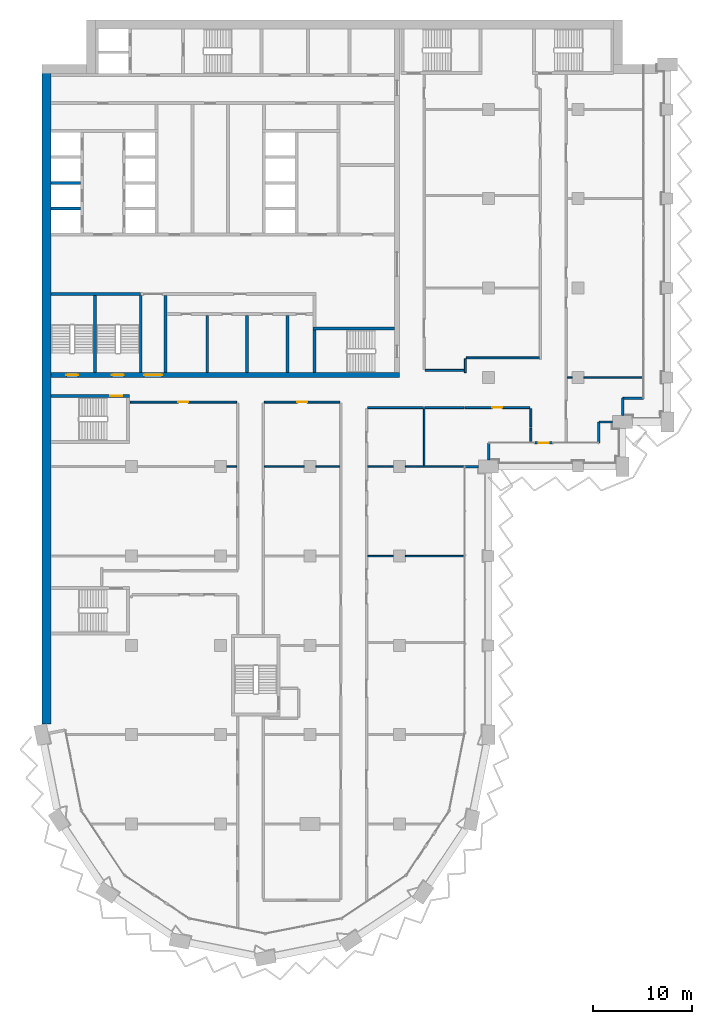
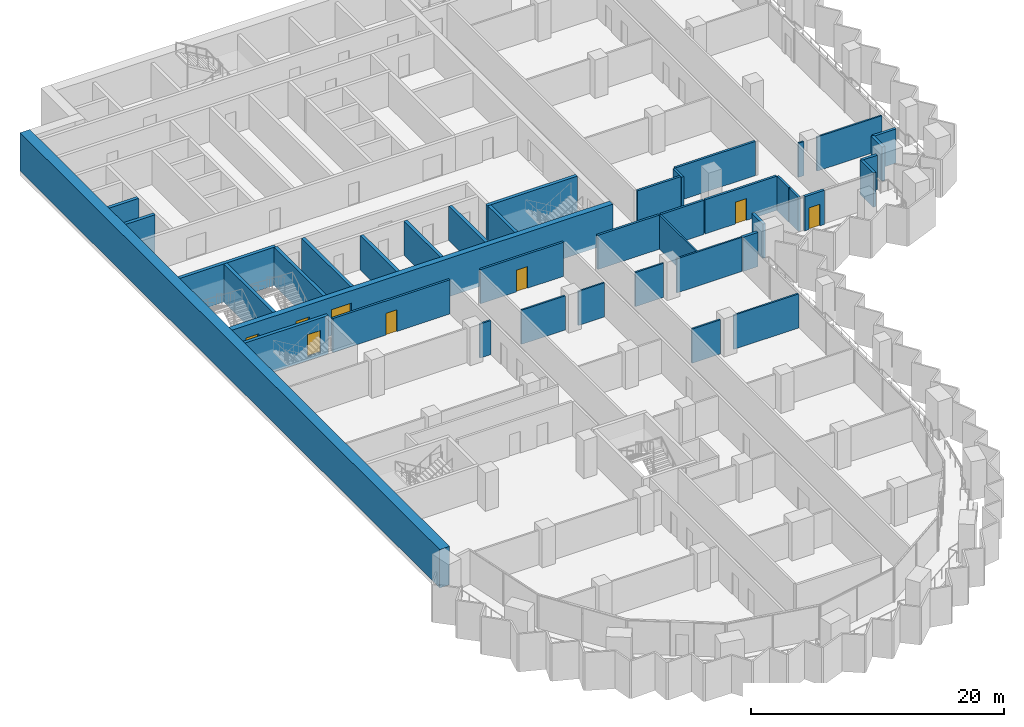
# One storey, part 12 of 23: 41 walls, 8 doors, 8 openings.
"""IFC4 building model written with IfcOpenShell, lengths in metres."""

from ifc_helpers import new_model, si_unit, direction, frame, frame_2d, origin, place, context, subcontext, project, spatial, rectangle, extrude, material, layer, layer_set, type_object, element, fill, save


model = new_model("IFC4")

# Units and contexts
model_context = context("Model", 3, precision=1e-05, world=origin(), true_north=direction((0.0, 1.0)))
body_context = subcontext(model_context, "Body", "Model", "MODEL_VIEW")
ifc_project = project(units=[si_unit("LENGTHUNIT", "METRE"), si_unit("AREAUNIT", "SQUARE_METRE"), si_unit("VOLUMEUNIT", "CUBIC_METRE"), si_unit("PLANEANGLEUNIT", "RADIAN"), si_unit("MASSUNIT", "GRAM", prefix="KILO")], contexts=[model_context])

# Site, building, storey
site_placement = place(None, origin())
site = spatial("IfcSite", under=ifc_project, at=site_placement, CompositionType="ELEMENT")
building_placement = place(site_placement, origin())
building = spatial("IfcBuilding", under=site, at=building_placement, Name="Hunhe Ridgeline Campus", CompositionType="ELEMENT")
storey_placement = place(building_placement, frame((0.0, 0.0, 144.89990234375)))
storey = spatial("IfcBuildingStorey", under=building, at=storey_placement, Name="L36", CompositionType="ELEMENT", Elevation=144.89990234375)

# Walls
ifc_material_1 = material(Name="Masonry concrete blockwork", Category="masonry")
ifc_layer_1 = layer(ifc_material_1, 0.300048828125)
ifc_layer_set_1 = layer_set([ifc_layer_1], Name="Core room partition 300 concrete block")
wall_type_1 = type_object("IfcWallType", Name="Core room partition 300 concrete block", PredefinedType="PARTITIONING", material=ifc_layer_set_1)
wall_1_placement = place(storey_placement, frame((12.449951171875, 63.5, 0.0), z_axis=(0.0, 0.0, 1.0), x_axis=(0.0, 1.0, 0.0)))
element("IfcWall", 1, at=wall_1_placement, inside=storey, type_object=wall_type_1, Name="L36 core partition 41", PredefinedType="PARTITIONING", context=body_context, shape_type="SweptSolid", body=[
    extrude(rectangle(XDim=7.75, YDim=0.300048828125, at=frame_2d((3.875, 0.0))), origin(), (0.0, 0.0, 1.0), 3.300048828125),
])
for number, where, z_axis, x_axis, name in (
    (2, (16.64990234375, 63.5, 0.0), (0.0, 0.0, 1.0), (0.0, 1.0, 0.0), "L36 core partition 44"),
    (3, (20.64990234375, 63.5, 0.0), (0.0, 0.0, 1.0), (0.0, 1.0, 0.0), "L36 core partition 47"),
    (4, (24.75, 63.5, 0.0), (0.0, 0.0, 1.0), (0.0, 1.0, 0.0), "L36 core partition 52"),
):
    element("IfcWall", number, at=place(storey_placement, frame(where, z_axis=z_axis, x_axis=x_axis)), inside=storey, type_object=wall_type_1, Name=name, PredefinedType="PARTITIONING", context=body_context, shape_type="SweptSolid", body=[
        extrude(rectangle(XDim=5.75, YDim=0.300048828125, at=frame_2d((2.875, 0.0))), origin(), (0.0, 0.0, 1.0), 3.300048828125),
    ])

# Wall, openings, doors
ifc_material_2 = material(Name="Concrete C70", Category="concrete")
ifc_layer_2 = layer(ifc_material_2, 0.5)
ifc_layer_set_2 = layer_set([ifc_layer_2], Name="Core wall 500 reinforced concrete C70")
wall_type_2 = type_object("IfcWallType", Name="Core wall 500 reinforced concrete C70", PredefinedType="SOLIDWALL", material=ifc_layer_set_2)
wall_2_placement = place(storey_placement, frame((0.89990234375, 63.25, -0.39990234375), z_axis=(0.0, 0.0, 1.0), x_axis=(1.0, 0.0, 0.0)))
wall_2 = element("IfcWall", 5, at=wall_2_placement, inside=storey, type_object=wall_type_2, Name="L36 core wall 7", PredefinedType="SOLIDWALL", context=body_context, shape_type="SweptSolid", body=[
    extrude(rectangle(XDim=35.10009765625, YDim=0.5, at=frame_2d((17.550048828125, 0.0))), origin(), (0.0, 0.0, 1.0), 3.699951171875),
])
opening_1_placement = place(wall_2_placement, frame((9.39990234375, 0.0, 0.39990234375)))
opening_1 = element("IfcOpeningElement", 6, at=opening_1_placement, cuts=wall_2, Name="Opening CD6", PredefinedType="OPENING", context=body_context, shape_type="SweptSolid", body=[
    extrude(rectangle(XDim=1.800048828125, YDim=2.10009765625, at=frame_2d((0.89990234375, 1.050048828125))), frame((0.0, 0.25, 0.0), z_axis=(0.0, -1.0, 0.0), x_axis=(1.0, 0.0, 0.0)), (0.0, 0.0, 1.0), 0.5),
])
opening_2_placement = place(wall_2_placement, frame((1.550048828125, 0.0, 0.39990234375)))
opening_2 = element("IfcOpeningElement", 7, at=opening_2_placement, cuts=wall_2, Name="Opening CD13", PredefinedType="OPENING", context=body_context, shape_type="SweptSolid", body=[
    extrude(rectangle(XDim=1.199951171875, YDim=2.10009765625, at=frame_2d((0.60009765625, 1.050048828125))), frame((0.0, 0.25, 0.0), z_axis=(0.0, -1.0, 0.0), x_axis=(1.0, 0.0, 0.0)), (0.0, 0.0, 1.0), 0.5),
])
opening_3_placement = place(wall_2_placement, frame((6.14990234375, 0.0, 0.39990234375)))
opening_3 = element("IfcOpeningElement", 8, at=opening_3_placement, cuts=wall_2, Name="Opening CD14", PredefinedType="OPENING", context=body_context, shape_type="SweptSolid", body=[
    extrude(rectangle(XDim=1.199951171875, YDim=2.10009765625, at=frame_2d((0.60009765625, 1.050048828125))), frame((0.0, 0.25, 0.0), z_axis=(0.0, -1.0, 0.0), x_axis=(1.0, 0.0, 0.0)), (0.0, 0.0, 1.0), 0.5),
])
ifc_material_3 = material(Name="Anodised aluminium and glass", Category="aluminium")
door_type_1 = type_object("IfcDoorType", Name="Glazed double door 1800x2100", OperationType="DOUBLE_DOOR_SINGLE_SWING", PredefinedType="DOOR", material=ifc_material_3)
door_1_placement = place(opening_1_placement, frame((1.800048828125, 0.0, 0.0), z_axis=(0.0, 0.0, 1.0), x_axis=(-1.0, 0.0, 0.0)))
door_1 = element("IfcDoor", 9, at=door_1_placement, inside=storey, type_object=door_type_1, Name="L36 door VEST-FLOOR", OperationType="DOUBLE_DOOR_SINGLE_SWING", OverallHeight=2.10009765625, OverallWidth=1.800048828125, PredefinedType="DOOR", context=body_context, shape_type="SweptSolid", body=[
    extrude(rectangle(XDim=1.800048828125, YDim=2.10009765625, at=frame_2d((0.89990234375, 1.050048828125))), frame((0.0, 0.02490234375, 0.0), z_axis=(0.0, -1.0, 0.0), x_axis=(1.0, 0.0, 0.0)), (0.0, 0.0, 1.0), 0.050048828125),
])
fill(opening_1, door_1)
ifc_material_4 = material(Name="Hollow metal fire door leaf")
door_type_2 = type_object("IfcDoorType", Name="Stair door 1200x2100 FD60", OperationType="SINGLE_SWING_LEFT", PredefinedType="DOOR", material=ifc_material_4)
door_2_placement = place(opening_2_placement, frame((1.199951171875, 0.0, 0.0), z_axis=(0.0, 0.0, 1.0), x_axis=(-1.0, 0.0, 0.0)))
door_2 = element("IfcDoor", 10, at=door_2_placement, inside=storey, type_object=door_type_2, Name="L36 door S3", OperationType="SINGLE_SWING_RIGHT", OverallHeight=2.10009765625, OverallWidth=1.199951171875, PredefinedType="DOOR", context=body_context, shape_type="SweptSolid", body=[
    extrude(rectangle(XDim=1.199951171875, YDim=2.10009765625, at=frame_2d((0.60009765625, 1.050048828125))), frame((0.0, 0.02490234375, 0.0), z_axis=(0.0, -1.0, 0.0), x_axis=(1.0, 0.0, 0.0)), (0.0, 0.0, 1.0), 0.050048828125),
])
fill(opening_2, door_2)
door_3_placement = place(opening_3_placement, frame((1.199951171875, 0.0, 0.0), z_axis=(0.0, 0.0, 1.0), x_axis=(-1.0, 0.0, 0.0)))
door_3 = element("IfcDoor", 11, at=door_3_placement, inside=storey, type_object=door_type_2, Name="L36 door S4", OperationType="SINGLE_SWING_LEFT", OverallHeight=2.10009765625, OverallWidth=1.199951171875, PredefinedType="DOOR", context=body_context, shape_type="SweptSolid", body=[
    extrude(rectangle(XDim=1.199951171875, YDim=2.10009765625, at=frame_2d((0.60009765625, 1.050048828125))), frame((0.0, 0.02490234375, 0.0), z_axis=(0.0, -1.0, 0.0), x_axis=(1.0, 0.0, 0.0)), (0.0, 0.0, 1.0), 0.050048828125),
])
fill(opening_3, door_3)

# Walls
ifc_material_5 = material(Name="Concrete C30", Category="concrete")
ifc_layer_3 = layer(ifc_material_5, 0.25)
ifc_layer_set_3 = layer_set([ifc_layer_3], Name="Corner return wall 250 Concrete C30")
wall_type_3 = type_object("IfcWallType", Name="Corner return wall 250 Concrete C30", PredefinedType="SOLIDWALL", material=ifc_layer_set_3)
wall_3_placement = place(storey_placement, frame((42.59912109375, 54.00048828125, 0.0), z_axis=(0.0, 0.0, 1.0), x_axis=(0.999999984814, 0.000174276749, 0.0)))
element("IfcWall", 12, at=wall_3_placement, inside=storey, type_object=wall_type_3, Name="Corner return wall 2", PredefinedType="SOLIDWALL", context=body_context, shape_type="SweptSolid", body=[
    extrude(rectangle(XDim=1.40087890625, YDim=0.25, at=frame_2d((0.700439453125, 0.0))), origin(), (0.0, 0.0, 1.0), 3.300048828125),
])
wall_4_placement = place(storey_placement, frame((44.999267578125, 54.64990234375, 0.0), z_axis=(0.0, 0.0, 1.0), x_axis=(0.000278862231, 0.999999961118, 0.0)))
element("IfcWall", 13, at=wall_4_placement, inside=storey, type_object=wall_type_3, Name="Corner return wall 3", PredefinedType="SOLIDWALL", context=body_context, shape_type="SweptSolid", body=[
    extrude(rectangle(XDim=1.7509765625, YDim=0.25, at=frame_2d((0.87548828125, 0.0))), origin(), (0.0, 0.0, 1.0), 3.300048828125),
])
wall_5_placement = place(storey_placement, frame((56.09912109375, 56.40087890625, 0.0), z_axis=(0.0, 0.0, 1.0), x_axis=(0.00011626555, 0.999999993241, 0.0)))
element("IfcWall", 14, at=wall_5_placement, inside=storey, type_object=wall_type_3, Name="Corner return wall 4", PredefinedType="SOLIDWALL", context=body_context, shape_type="SweptSolid", body=[
    extrude(rectangle(XDim=2.099853515625, YDim=0.25, at=frame_2d((1.0498046875, 0.0))), origin(), (0.0, 0.0, 1.0), 3.300048828125),
])
wall_6_placement = place(storey_placement, frame((56.099365234375, 58.500732421875, 0.0), z_axis=(0.0, 0.0, 1.0), x_axis=(0.999999984809, 0.000174307127, 0.0)))
element("IfcWall", 15, at=wall_6_placement, inside=storey, type_object=wall_type_3, Name="Corner return wall 5", PredefinedType="SOLIDWALL", context=body_context, shape_type="SweptSolid", body=[
    extrude(rectangle(XDim=1.400634765625, YDim=0.25, at=frame_2d((0.7001953125, 0.0))), origin(), (0.0, 0.0, 1.0), 3.300048828125),
])
wall_7_placement = place(storey_placement, frame((58.4990234375, 59.14990234375, 0.0), z_axis=(0.0, 0.0, 1.0), x_axis=(0.000139450563, 0.999999990277, 0.0)))
element("IfcWall", 16, at=wall_7_placement, inside=storey, type_object=wall_type_3, Name="Corner return wall 6", PredefinedType="SOLIDWALL", context=body_context, shape_type="SweptSolid", body=[
    extrude(rectangle(XDim=1.750732421875, YDim=0.25, at=frame_2d((0.87548828125, 0.0))), origin(), (0.0, 0.0, 1.0), 3.300048828125),
])
wall_8_placement = place(storey_placement, frame((58.499267578125, 60.900634765625, 0.0), z_axis=(0.0, 0.0, 1.0), x_axis=(0.999999993241, 0.00011626555, 0.0)))
element("IfcWall", 17, at=wall_8_placement, inside=storey, type_object=wall_type_3, Name="Corner return wall 7", PredefinedType="SOLIDWALL", context=body_context, shape_type="SweptSolid", body=[
    extrude(rectangle(XDim=2.099853515625, YDim=0.25, at=frame_2d((1.0498046875, 0.0))), origin(), (0.0, 0.0, 1.0), 3.300048828125),
])
ifc_material_6 = material(Name="Gypsum board partition")
ifc_layer_4 = layer(ifc_material_6, 0.199951171875)
ifc_layer_set_4 = layer_set([ifc_layer_4], Name="Corridor partition 200 gypsum board on steel studs")
wall_type_4 = type_object("IfcWallType", Name="Corridor partition 200 gypsum board on steel studs", PredefinedType="PARTITIONING", material=ifc_layer_set_4)
wall_9_placement = place(storey_placement, frame((38.425048828125, 59.950927734375, 0.0), z_axis=(0.0, 0.0, 1.0), x_axis=(-1.0, 0.0, 0.0)))
element("IfcWall", 18, at=wall_9_placement, inside=storey, type_object=wall_type_4, Name="F-L36-wall-039", PredefinedType="PARTITIONING", context=body_context, shape_type="SweptSolid", body=[
    extrude(rectangle(XDim=5.625, YDim=0.199951171875, at=frame_2d((2.8125, 0.0))), origin(), (0.0, 0.0, 1.0), 3.300048828125),
])
wall_10_placement = place(storey_placement, frame((42.5, 59.950927734375, 0.0), z_axis=(0.0, 0.0, 1.0), x_axis=(-1.0, 0.0, 0.0)))
element("IfcWall", 19, at=wall_10_placement, inside=storey, type_object=wall_type_4, Name="F-L36-wall-040", PredefinedType="PARTITIONING", context=body_context, shape_type="SweptSolid", body=[
    extrude(rectangle(XDim=3.925048828125, YDim=0.199951171875, at=frame_2d((1.96240234375, 0.0))), origin(), (0.0, 0.0, 1.0), 3.300048828125),
])

# Wall, opening, door
wall_11_placement = place(storey_placement, frame((49.14892578125, 59.950927734375, 0.0), z_axis=(0.0, 0.0, 1.0), x_axis=(-1.0, 0.0, 0.0)))
wall_11 = element("IfcWall", 20, at=wall_11_placement, inside=storey, type_object=wall_type_4, Name="F-L36-wall-041", PredefinedType="PARTITIONING", context=body_context, shape_type="SweptSolid", body=[
    extrude(rectangle(XDim=6.548828125, YDim=0.199951171875, at=frame_2d((3.2744140625, 0.0))), origin(), (0.0, 0.0, 1.0), 3.300048828125),
])
opening_4_placement = place(wall_11_placement, frame((2.7744140625, 0.0, 0.0)))
opening_4 = element("IfcOpeningElement", 21, at=opening_4_placement, cuts=wall_11, Name="Opening RD1-025", PredefinedType="OPENING", context=body_context, shape_type="SweptSolid", body=[
    extrude(rectangle(XDim=1.0, YDim=2.10009765625, at=frame_2d((0.5, 1.050048828125))), frame((0.0, 0.10009765625, 0.0), z_axis=(0.0, -1.0, 0.0), x_axis=(1.0, 0.0, 0.0)), (0.0, 0.0, 1.0), 0.199951171875),
])
ifc_material_7 = material(Name="Timber door leaf", Category="wood")
door_type_3 = type_object("IfcDoorType", Name="Single fire door 1000x2100 timber FD60", OperationType="NOTDEFINED", PredefinedType="DOOR", material=ifc_material_7)
door_4_placement = place(opening_4_placement, origin())
door_4 = element("IfcDoor", 22, at=door_4_placement, inside=storey, type_object=door_type_3, Name="F-L36-door-025", OperationType="SINGLE_SWING_RIGHT", OverallHeight=2.10009765625, OverallWidth=1.0, PredefinedType="DOOR", context=body_context, shape_type="SweptSolid", body=[
    extrude(rectangle(XDim=1.0, YDim=2.10009765625, at=frame_2d((0.5, 1.050048828125))), frame((0.0, 0.02490234375, 0.0), z_axis=(0.0, -1.0, 0.0), x_axis=(1.0, 0.0, 0.0)), (0.0, 0.0, 1.0), 0.050048828125),
])
fill(opening_4, door_4)

wall_12_placement = place(storey_placement, frame((19.60009765625, 60.5, 0.0), z_axis=(0.0, 0.0, 1.0), x_axis=(-1.0, 0.0, 0.0)))
wall_12 = element("IfcWall", 23, at=wall_12_placement, inside=storey, type_object=wall_type_4, Name="F-L36-wall-042", PredefinedType="PARTITIONING", context=body_context, shape_type="SweptSolid", body=[
    extrude(rectangle(XDim=10.696044921875, YDim=0.199951171875, at=frame_2d((5.34814453125, 0.0))), origin(), (0.0, 0.0, 1.0), 3.300048828125),
])
opening_5_placement = place(wall_12_placement, frame((4.847900390625, 0.0, 0.0)))
opening_5 = element("IfcOpeningElement", 24, at=opening_5_placement, cuts=wall_12, Name="Opening RD1-026", PredefinedType="OPENING", context=body_context, shape_type="SweptSolid", body=[
    extrude(rectangle(XDim=1.0, YDim=2.10009765625, at=frame_2d((0.5, 1.050048828125))), frame((0.0, 0.10009765625, 0.0), z_axis=(0.0, -1.0, 0.0), x_axis=(1.0, 0.0, 0.0)), (0.0, 0.0, 1.0), 0.199951171875),
])
door_5_placement = place(opening_5_placement, origin())
door_5 = element("IfcDoor", 25, at=door_5_placement, inside=storey, type_object=door_type_3, Name="F-L36-door-026", OperationType="SINGLE_SWING_LEFT", OverallHeight=2.10009765625, OverallWidth=1.0, PredefinedType="DOOR", context=body_context, shape_type="SweptSolid", body=[
    extrude(rectangle(XDim=1.0, YDim=2.10009765625, at=frame_2d((0.5, 1.050048828125))), frame((0.0, 0.02490234375, 0.0), z_axis=(0.0, -1.0, 0.0), x_axis=(1.0, 0.0, 0.0)), (0.0, 0.0, 1.0), 0.050048828125),
])
fill(opening_5, door_5)

wall_13_placement = place(storey_placement, frame((30.0, 60.5, 0.0), z_axis=(0.0, 0.0, 1.0), x_axis=(-1.0, 0.0, 0.0)))
wall_13 = element("IfcWall", 26, at=wall_13_placement, inside=storey, type_object=wall_type_4, Name="F-L36-wall-043", PredefinedType="PARTITIONING", context=body_context, shape_type="SweptSolid", body=[
    extrude(rectangle(XDim=7.60009765625, YDim=0.199951171875, at=frame_2d((3.800048828125, 0.0))), origin(), (0.0, 0.0, 1.0), 3.300048828125),
])
opening_6_placement = place(wall_13_placement, frame((3.300048828125, 0.0, 0.0)))
opening_6 = element("IfcOpeningElement", 27, at=opening_6_placement, cuts=wall_13, Name="Opening RD1-027", PredefinedType="OPENING", context=body_context, shape_type="SweptSolid", body=[
    extrude(rectangle(XDim=1.0, YDim=2.10009765625, at=frame_2d((0.5, 1.050048828125))), frame((0.0, 0.10009765625, 0.0), z_axis=(0.0, -1.0, 0.0), x_axis=(1.0, 0.0, 0.0)), (0.0, 0.0, 1.0), 0.199951171875),
])
door_6_placement = place(opening_6_placement, origin())
door_6 = element("IfcDoor", 28, at=door_6_placement, inside=storey, type_object=door_type_3, Name="F-L36-door-027", OperationType="SINGLE_SWING_LEFT", OverallHeight=2.10009765625, OverallWidth=1.0, PredefinedType="DOOR", context=body_context, shape_type="SweptSolid", body=[
    extrude(rectangle(XDim=1.0, YDim=2.10009765625, at=frame_2d((0.5, 1.050048828125))), frame((0.0, 0.02490234375, 0.0), z_axis=(0.0, -1.0, 0.0), x_axis=(1.0, 0.0, 0.0)), (0.0, 0.0, 1.0), 0.050048828125),
])
fill(opening_6, door_6)

# Walls
wall_14_placement = place(storey_placement, frame((38.60009765625, 63.699951171875, 0.0), z_axis=(0.0, 0.0, 1.0), x_axis=(1.0, 0.0, 0.0)))
element("IfcWall", 29, at=wall_14_placement, inside=storey, type_object=wall_type_4, Name="F-L36-wall-046", PredefinedType="PARTITIONING", context=body_context, shape_type="SweptSolid", body=[
    extrude(rectangle(XDim=3.949951171875, YDim=0.199951171875, at=frame_2d((1.97509765625, 0.0))), origin(), (0.0, 0.0, 1.0), 3.300048828125),
])
wall_15_placement = place(storey_placement, frame((42.75, 64.949951171875, 0.0), z_axis=(0.0, 0.0, 1.0), x_axis=(1.0, 0.0, 0.0)))
element("IfcWall", 30, at=wall_15_placement, inside=storey, type_object=wall_type_4, Name="F-L36-wall-047", PredefinedType="PARTITIONING", context=body_context, shape_type="SweptSolid", body=[
    extrude(rectangle(XDim=7.35009765625, YDim=0.199951171875, at=frame_2d((3.675048828125, 0.0))), origin(), (0.0, 0.0, 1.0), 3.300048828125),
])
wall_16_placement = place(storey_placement, frame((42.64990234375, 63.487548828125, 0.0), z_axis=(0.0, 0.0, 1.0), x_axis=(0.0, 1.0, 0.0)))
element("IfcWall", 31, at=wall_16_placement, inside=storey, type_object=wall_type_4, Name="F-L36-wall-071", PredefinedType="PARTITIONING", context=body_context, shape_type="SweptSolid", body=[
    extrude(rectangle(XDim=1.362548828125, YDim=0.199951171875, at=frame_2d((0.68115234375, 0.0))), origin(), (0.0, 0.0, 1.0), 3.300048828125),
])
wall_17_placement = place(storey_placement, frame((49.2490234375, 56.455078125, 0.0), z_axis=(0.0, 0.0, 1.0), x_axis=(0.0, 1.0, 0.0)))
element("IfcWall", 32, at=wall_17_placement, inside=storey, type_object=wall_type_4, Name="F-L36-wall-072", PredefinedType="PARTITIONING", context=body_context, shape_type="SweptSolid", body=[
    extrude(rectangle(XDim=1.44580078125, YDim=0.199951171875, at=frame_2d((0.722900390625, 0.0))), origin(), (0.0, 0.0, 1.0), 3.300048828125),
])
wall_18_placement = place(storey_placement, frame((49.2490234375, 58.0009765625, 0.0), z_axis=(0.0, 0.0, 1.0), x_axis=(0.0, 1.0, 0.0)))
element("IfcWall", 33, at=wall_18_placement, inside=storey, type_object=wall_type_4, Name="F-L36-wall-073", PredefinedType="PARTITIONING", context=body_context, shape_type="SweptSolid", body=[
    extrude(rectangle(XDim=1.85009765625, YDim=0.199951171875, at=frame_2d((0.925048828125, 0.0))), origin(), (0.0, 0.0, 1.0), 3.300048828125),
])

# Wall, opening, door
ifc_layer_5 = layer(ifc_material_5, 0.25)
ifc_layer_set_5 = layer_set([ifc_layer_5], Name="Loggia door pier wall 250 Concrete C30")
wall_type_5 = type_object("IfcWallType", Name="Loggia door pier wall 250 Concrete C30", PredefinedType="SOLIDWALL", material=ifc_layer_set_5)
wall_19_placement = place(storey_placement, frame((49.6494140625, 56.40087890625, 0.0), z_axis=(0.0, 0.0, 1.0), x_axis=(1.0, 0.0, 0.0)))
wall_19 = element("IfcWall", 34, at=wall_19_placement, inside=storey, type_object=wall_type_5, Name="Loggia door pier 3", PredefinedType="SOLIDWALL", context=body_context, shape_type="SweptSolid", body=[
    extrude(rectangle(XDim=1.800048828125, YDim=0.25, at=frame_2d((0.89990234375, 0.0))), origin(), (0.0, 0.0, 1.0), 3.300048828125),
])
opening_7_placement = place(wall_19_placement, frame((0.39990234375, 0.0, 0.0)))
opening_7 = element("IfcOpeningElement", 35, at=opening_7_placement, cuts=wall_19, Name="Opening BD306", PredefinedType="OPENING", context=body_context, shape_type="SweptSolid", body=[
    extrude(rectangle(XDim=1.0, YDim=2.10009765625, at=frame_2d((0.5, 1.050048828125))), frame((0.0, 0.125, 0.0), z_axis=(0.0, -1.0, 0.0), x_axis=(1.0, 0.0, 0.0)), (0.0, 0.0, 1.0), 0.25),
])
ifc_material_8 = material(Name="Aluminium 6063", Category="aluminium")
door_type_4 = type_object("IfcDoorType", Name="Loggia glazed door 1000x2100", OperationType="NOTDEFINED", PredefinedType="DOOR", material=ifc_material_8)
door_7_placement = place(opening_7_placement, frame((1.0, 0.0, 0.0), z_axis=(0.0, 0.0, 1.0), x_axis=(-1.0, 0.0, 0.0)))
door_7 = element("IfcDoor", 36, at=door_7_placement, inside=storey, type_object=door_type_4, Name="Loggia door BD306", OperationType="SINGLE_SWING_LEFT", OverallHeight=2.10009765625, OverallWidth=1.0, PredefinedType="DOOR", context=body_context, shape_type="SweptSolid", body=[
    extrude(rectangle(XDim=1.0, YDim=2.10009765625, at=frame_2d((0.5, 1.050048828125))), frame((0.0, 0.02490234375, 0.0), z_axis=(0.0, -1.0, 0.0), x_axis=(1.0, 0.0, 0.0)), (0.0, 0.0, 1.0), 0.050048828125),
])
fill(opening_7, door_7)

# Walls
ifc_layer_6 = layer(ifc_material_6, 0.14990234375)
ifc_layer_set_6 = layer_set([ifc_layer_6], Name="Room partition 150 gypsum board on steel studs")
wall_type_6 = type_object("IfcWallType", Name="Room partition 150 gypsum board on steel studs", PredefinedType="PARTITIONING", material=ifc_layer_set_6)
wall_20_placement = place(storey_placement, frame((32.800048828125, 45.0, 0.0), z_axis=(0.0, 0.0, 1.0), x_axis=(1.0, 0.0, 0.0)))
element("IfcWall", 37, at=wall_20_placement, inside=storey, type_object=wall_type_6, Name="F-L36-wall-030", PredefinedType="PARTITIONING", context=body_context, shape_type="SweptSolid", body=[
    extrude(rectangle(XDim=2.599853515625, YDim=0.14990234375, at=frame_2d((1.2998046875, 0.0))), origin(), (0.0, 0.0, 1.0), 3.300048828125),
])
wall_21_placement = place(storey_placement, frame((36.60009765625, 45.0, 0.0), z_axis=(0.0, 0.0, 1.0), x_axis=(1.0, 0.0, 0.0)))
element("IfcWall", 38, at=wall_21_placement, inside=storey, type_object=wall_type_6, Name="F-L36-wall-031", PredefinedType="PARTITIONING", context=body_context, shape_type="SweptSolid", body=[
    extrude(rectangle(XDim=5.945068359375, YDim=0.14990234375, at=frame_2d((2.97265625, 0.0))), origin(), (0.0, 0.0, 1.0), 3.300048828125),
])
wall_22_placement = place(storey_placement, frame((18.60009765625, 54.0, 0.0), z_axis=(0.0, 0.0, 1.0), x_axis=(1.0, 0.0, 0.0)))
element("IfcWall", 39, at=wall_22_placement, inside=storey, type_object=wall_type_6, Name="F-L36-wall-034", PredefinedType="PARTITIONING", context=body_context, shape_type="SweptSolid", body=[
    extrude(rectangle(XDim=1.0, YDim=0.14990234375, at=frame_2d((0.5, 0.0))), origin(), (0.0, 0.0, 1.0), 3.300048828125),
])
wall_23_placement = place(storey_placement, frame((22.39990234375, 54.0, 0.0), z_axis=(0.0, 0.0, 1.0), x_axis=(1.0, 0.0, 0.0)))
element("IfcWall", 40, at=wall_23_placement, inside=storey, type_object=wall_type_6, Name="F-L36-wall-035", PredefinedType="PARTITIONING", context=body_context, shape_type="SweptSolid", body=[
    extrude(rectangle(XDim=4.0, YDim=0.14990234375, at=frame_2d((2.0, 0.0))), origin(), (0.0, 0.0, 1.0), 3.300048828125),
])
wall_24_placement = place(storey_placement, frame((27.60009765625, 54.0, 0.0), z_axis=(0.0, 0.0, 1.0), x_axis=(1.0, 0.0, 0.0)))
element("IfcWall", 41, at=wall_24_placement, inside=storey, type_object=wall_type_6, Name="F-L36-wall-036", PredefinedType="PARTITIONING", context=body_context, shape_type="SweptSolid", body=[
    extrude(rectangle(XDim=2.39990234375, YDim=0.14990234375, at=frame_2d((1.199951171875, 0.0))), origin(), (0.0, 0.0, 1.0), 3.300048828125),
])
wall_25_placement = place(storey_placement, frame((32.800048828125, 54.0, 0.0), z_axis=(0.0, 0.0, 1.0), x_axis=(1.0, 0.0, 0.0)))
element("IfcWall", 42, at=wall_25_placement, inside=storey, type_object=wall_type_6, Name="F-L36-wall-037", PredefinedType="PARTITIONING", context=body_context, shape_type="SweptSolid", body=[
    extrude(rectangle(XDim=2.599853515625, YDim=0.14990234375, at=frame_2d((1.2998046875, 0.0))), origin(), (0.0, 0.0, 1.0), 3.300048828125),
])
wall_26_placement = place(storey_placement, frame((36.60009765625, 54.0, 0.0), z_axis=(0.0, 0.0, 1.0), x_axis=(1.0, 0.0, 0.0)))
element("IfcWall", 43, at=wall_26_placement, inside=storey, type_object=wall_type_6, Name="F-L36-wall-038", PredefinedType="PARTITIONING", context=body_context, shape_type="SweptSolid", body=[
    extrude(rectangle(XDim=5.945068359375, YDim=0.14990234375, at=frame_2d((2.97265625, 0.0))), origin(), (0.0, 0.0, 1.0), 3.300048828125),
])
wall_27_placement = place(storey_placement, frame((52.89990234375, 63.0, 0.0), z_axis=(0.0, 0.0, 1.0), x_axis=(1.0, 0.0, 0.0)))
element("IfcWall", 44, at=wall_27_placement, inside=storey, type_object=wall_type_6, Name="F-L36-wall-044", PredefinedType="PARTITIONING", context=body_context, shape_type="SweptSolid", body=[
    extrude(rectangle(XDim=0.5, YDim=0.14990234375, at=frame_2d((0.25, 0.0))), origin(), (0.0, 0.0, 1.0), 3.300048828125),
])
wall_28_placement = place(storey_placement, frame((54.60009765625, 63.0, 0.0), z_axis=(0.0, 0.0, 1.0), x_axis=(1.0, 0.0, 0.0)))
element("IfcWall", 45, at=wall_28_placement, inside=storey, type_object=wall_type_6, Name="F-L36-wall-045", PredefinedType="PARTITIONING", context=body_context, shape_type="SweptSolid", body=[
    extrude(rectangle(XDim=5.94482421875, YDim=0.14990234375, at=frame_2d((2.972412109375, 0.0))), origin(), (0.0, 0.0, 1.0), 3.300048828125),
])
wall_29_placement = place(storey_placement, frame((38.5, 59.85107421875, 0.0), z_axis=(0.0, 0.0, 1.0), x_axis=(0.0, -1.0, 0.0)))
element("IfcWall", 46, at=wall_29_placement, inside=storey, type_object=wall_type_6, Name="F-L36-wall-069", PredefinedType="PARTITIONING", context=body_context, shape_type="SweptSolid", body=[
    extrude(rectangle(XDim=5.776123046875, YDim=0.14990234375, at=frame_2d((2.88818359375, 0.0))), origin(), (0.0, 0.0, 1.0), 3.300048828125),
])
ifc_layer_7 = layer(ifc_material_2, 0.300048828125)
ifc_layer_set_7 = layer_set([ifc_layer_7], Name="Shaft wall 300 reinforced concrete C70")
wall_type_7 = type_object("IfcWallType", Name="Shaft wall 300 reinforced concrete C70", PredefinedType="SOLIDWALL", material=ifc_layer_set_7)
for number, where, z_axis, x_axis, name in (
    (47, (0.89990234375, 80.0, -0.39990234375), (0.0, 0.0, 1.0), (1.0, 0.0, 0.0), "L36 core wall 14"),
    (48, (0.89990234375, 82.60009765625, -0.39990234375), (0.0, 0.0, 1.0), (1.0, 0.0, 0.0), "L36 core wall 17"),
):
    element("IfcWall", number, at=place(storey_placement, frame(where, z_axis=z_axis, x_axis=x_axis)), inside=storey, type_object=wall_type_7, Name=name, PredefinedType="SOLIDWALL", context=body_context, shape_type="SweptSolid", body=[
        extrude(rectangle(XDim=3.0, YDim=0.300048828125, at=frame_2d((1.5, 0.0))), origin(), (0.0, 0.0, 1.0), 3.699951171875),
    ])
ifc_layer_8 = layer(ifc_material_2, 0.89990234375)
ifc_layer_set_8 = layer_set([ifc_layer_8], Name="Spine wall 900 Concrete C70")
wall_type_8 = type_object("IfcWallType", Name="Spine wall 900 Concrete C70", PredefinedType="SHEAR", material=ifc_layer_set_8)
wall_30_placement = place(storey_placement, frame((0.449951171875, 94.5, 0.0), z_axis=(0.0, 0.0, 1.0), x_axis=(0.0, -1.0, 0.0)))
element("IfcWall", 49, at=wall_30_placement, inside=storey, type_object=wall_type_8, Name="Spine wall SW2-1 L36", PredefinedType="SHEAR", context=body_context, shape_type="SweptSolid", body=[
    extrude(rectangle(XDim=66.430419921875, YDim=0.89990234375, at=frame_2d((33.21533203125, 0.0))), origin(), (0.0, 0.0, 1.0), 3.7001953125),
])

# Wall, opening, door
ifc_layer_9 = layer(ifc_material_2, 0.300048828125)
ifc_layer_set_9 = layer_set([ifc_layer_9], Name="Stair wall 300 reinforced concrete C70")
wall_type_9 = type_object("IfcWallType", Name="Stair wall 300 reinforced concrete C70", PredefinedType="SOLIDWALL", material=ifc_layer_set_9)
wall_31_placement = place(storey_placement, frame((0.89990234375, 61.10009765625, -0.39990234375), z_axis=(0.0, 0.0, 1.0), x_axis=(1.0, 0.0, 0.0)))
wall_31 = element("IfcWall", 50, at=wall_31_placement, inside=storey, type_object=wall_type_9, Name="L36 core wall 6", PredefinedType="SOLIDWALL", context=body_context, shape_type="SweptSolid", body=[
    extrude(rectangle(XDim=7.900146484375, YDim=0.300048828125, at=frame_2d((3.9501953125, 0.0))), origin(), (0.0, 0.0, 1.0), 3.699951171875),
])
opening_8_placement = place(wall_31_placement, frame((6.0, 0.0, 0.39990234375)))
opening_8 = element("IfcOpeningElement", 51, at=opening_8_placement, cuts=wall_31, Name="Opening CD22", PredefinedType="OPENING", context=body_context, shape_type="SweptSolid", body=[
    extrude(rectangle(XDim=1.199951171875, YDim=2.10009765625, at=frame_2d((0.60009765625, 1.050048828125))), frame((0.0, 0.14990234375, 0.0), z_axis=(0.0, -1.0, 0.0), x_axis=(1.0, 0.0, 0.0)), (0.0, 0.0, 1.0), 0.300048828125),
])
door_8_placement = place(opening_8_placement, origin())
door_8 = element("IfcDoor", 52, at=door_8_placement, inside=storey, type_object=door_type_2, Name="L36 door W2", OperationType="SINGLE_SWING_RIGHT", OverallHeight=2.10009765625, OverallWidth=1.199951171875, PredefinedType="DOOR", context=body_context, shape_type="SweptSolid", body=[
    extrude(rectangle(XDim=1.199951171875, YDim=2.10009765625, at=frame_2d((0.60009765625, 1.050048828125))), frame((0.0, 0.02490234375, 0.0), z_axis=(0.0, -1.0, 0.0), x_axis=(1.0, 0.0, 0.0)), (0.0, 0.0, 1.0), 0.050048828125),
])
fill(opening_8, door_8)

# Walls
wall_32_placement = place(storey_placement, frame((27.300048828125, 67.89990234375, -0.39990234375), z_axis=(0.0, 0.0, 1.0), x_axis=(1.0, 0.0, 0.0)))
element("IfcWall", 53, at=wall_32_placement, inside=storey, type_object=wall_type_9, Name="L36 core wall 8", PredefinedType="SOLIDWALL", context=body_context, shape_type="SweptSolid", body=[
    extrude(rectangle(XDim=8.199951171875, YDim=0.300048828125, at=frame_2d((4.10009765625, 0.0))), origin(), (0.0, 0.0, 1.0), 3.699951171875),
])
wall_33_placement = place(storey_placement, frame((0.89990234375, 71.39990234375, -0.39990234375), z_axis=(0.0, 0.0, 1.0), x_axis=(1.0, 0.0, 0.0)))
element("IfcWall", 54, at=wall_33_placement, inside=storey, type_object=wall_type_9, Name="L36 core wall 10", PredefinedType="SOLIDWALL", context=body_context, shape_type="SweptSolid", body=[
    extrude(rectangle(XDim=9.050048828125, YDim=0.300048828125, at=frame_2d((4.52490234375, 0.0))), origin(), (0.0, 0.0, 1.0), 3.699951171875),
])
for number, where, z_axis, x_axis, name in (
    (55, (5.35009765625, 63.5, -0.39990234375), (0.0, 0.0, 1.0), (0.0, 1.0, 0.0), "L36 core wall 32"),
    (56, (9.949951171875, 63.5, -0.39990234375), (0.0, 0.0, 1.0), (0.0, 1.0, 0.0), "L36 core wall 38"),
):
    element("IfcWall", number, at=place(storey_placement, frame(where, z_axis=z_axis, x_axis=x_axis)), inside=storey, type_object=wall_type_9, Name=name, PredefinedType="SOLIDWALL", context=body_context, shape_type="SweptSolid", body=[
        extrude(rectangle(XDim=7.75, YDim=0.300048828125, at=frame_2d((3.875, 0.0))), origin(), (0.0, 0.0, 1.0), 3.699951171875),
    ])
wall_34_placement = place(storey_placement, frame((27.449951171875, 63.5, -0.39990234375), z_axis=(0.0, 0.0, 1.0), x_axis=(0.0, 1.0, 0.0)))
element("IfcWall", 57, at=wall_34_placement, inside=storey, type_object=wall_type_9, Name="L36 core wall 55", PredefinedType="SOLIDWALL", context=body_context, shape_type="SweptSolid", body=[
    extrude(rectangle(XDim=4.25, YDim=0.300048828125, at=frame_2d((2.125, 0.0))), origin(), (0.0, 0.0, 1.0), 3.699951171875),
])

save(model, "model.ifc")
